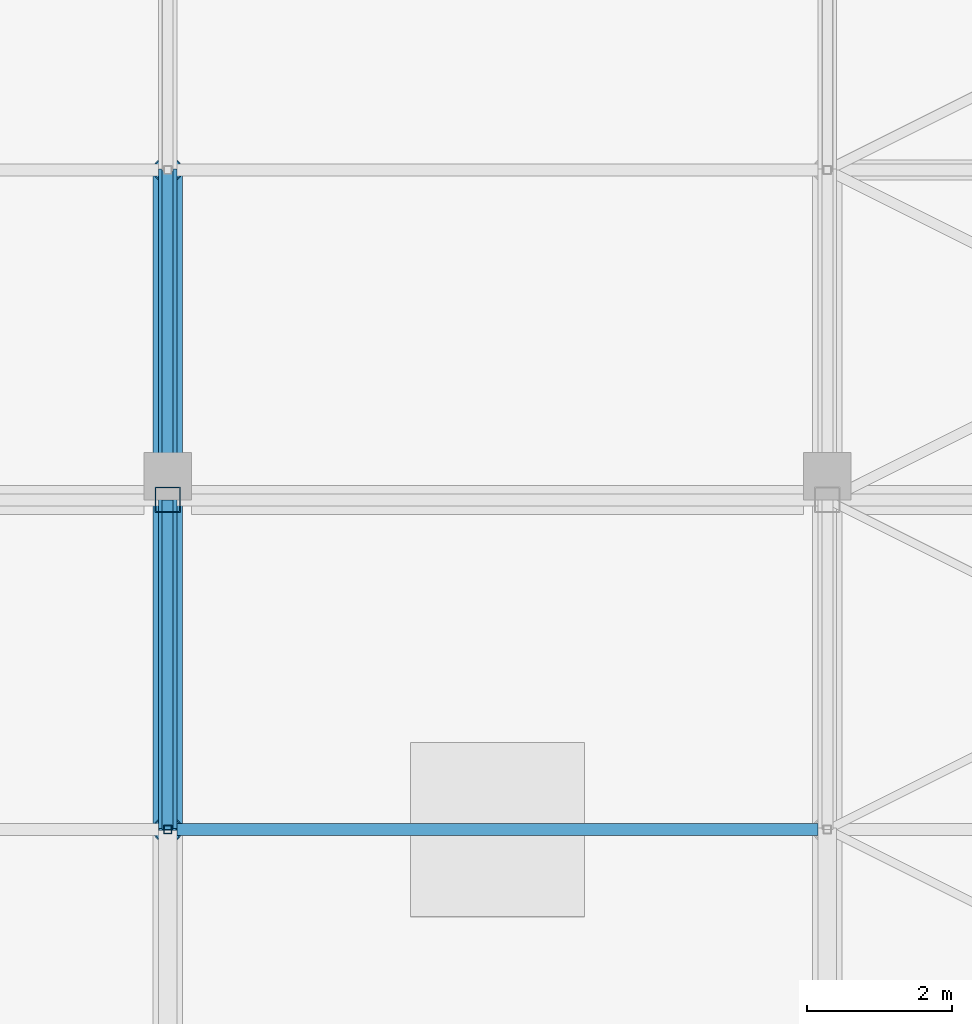
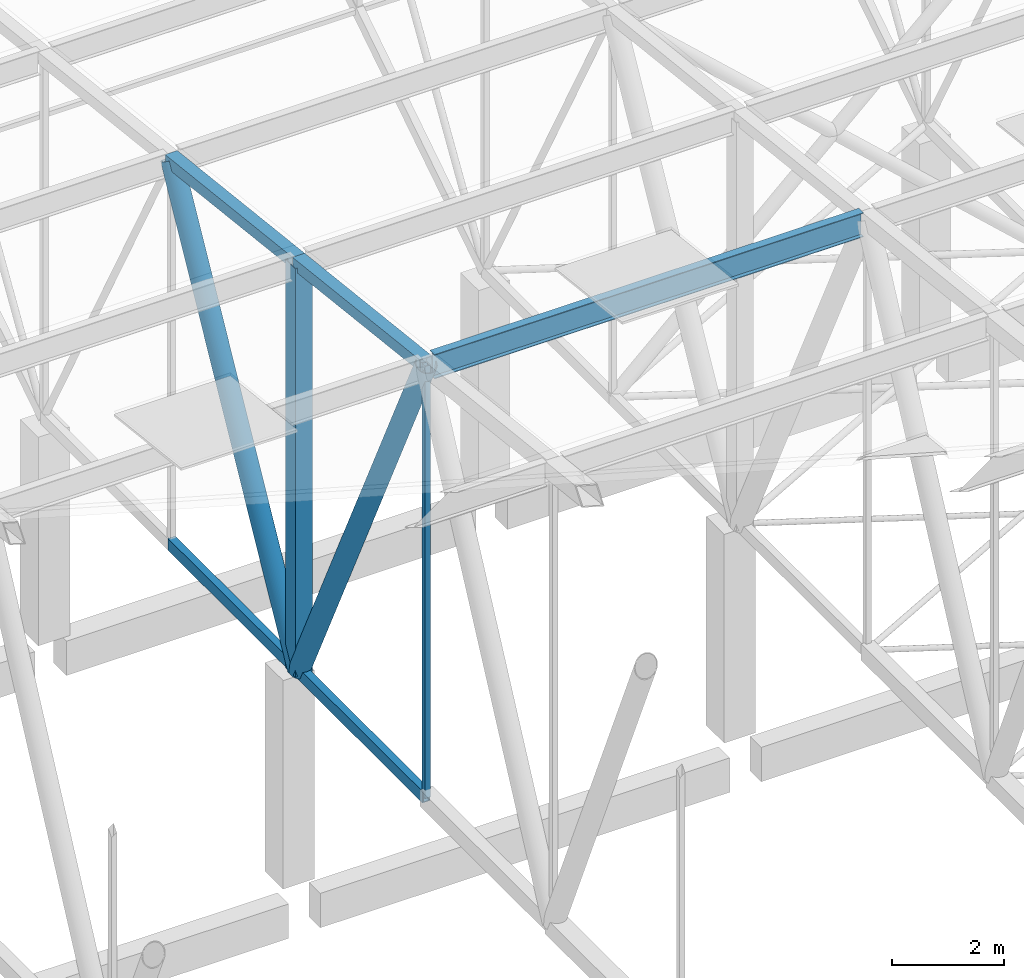
# One storey, part 302 of 500: 9 members.
"""IFC4 building model written with IfcOpenShell, lengths in metres."""

import ifcopenshell
import ifcopenshell.guid

model = None  # the IFC model being written
_history = None  # IfcOwnerHistory: only IFC2X3 demands one
_inside = {}  # id of a spatial element -> (the spatial element, [elements in it])
_under = {}  # id of a project, library or spatial element -> (it, [spatial elements below it])
_declared = {}  # id of a project -> (the project, [libraries it declares])
_typed = {}  # id of a type object -> (the type object, [elements of that type])
_made_of = {}  # id of a material, layer set ... -> (it, [elements and type objects made of it])


def new_model(schema):
    """Start an empty IFC model of exactly this schema.

    Asked for "IFC4X3", IfcOpenShell would pick the latest addendum, in which some entities
    have other attributes; the version numbers below select the first issue.
    IFC2X3 requires an IfcOwnerHistory on every rooted entity: one is made here for all.
    """
    global model, _history
    if schema == "IFC4X3":
        model = ifcopenshell.file(schema_version=(4, 3, 0, 0))
    else:
        model = ifcopenshell.file(schema=schema)
    _inside.clear()
    _under.clear()
    _declared.clear()
    _typed.clear()
    _made_of.clear()
    _history = None
    if model.schema == "IFC2X3":
        org = make("IfcOrganization", Name="unknown")
        user = make(
            "IfcPersonAndOrganization",
            ThePerson=make("IfcPerson", FamilyName="unknown"),
            TheOrganization=org,
        )
        app = make(
            "IfcApplication",
            ApplicationDeveloper=org,
            Version="unknown",
            ApplicationFullName="unknown",
            ApplicationIdentifier="unknown",
        )
        _history = make(
            "IfcOwnerHistory",
            OwningUser=user,
            OwningApplication=app,
            ChangeAction="ADDED",
            CreationDate=0,
        )
    return model


def make(cls, **values):
    """One entity of the class cls with the attributes given. An attribute that is None is left unset."""
    return model.create_entity(
        cls, **{name: value for name, value in values.items() if value is not None}
    )


def rooted(cls, **values):
    """An entity with a GlobalId (a new one), such as an element, a storey or a relation."""
    return make(cls, GlobalId=ifcopenshell.guid.new(), OwnerHistory=_history, **values)


def si_unit(unit_type, name, prefix=None):
    """IfcSIUnit, for example si_unit("LENGTHUNIT", "METRE", prefix="MILLI")."""
    return make("IfcSIUnit", UnitType=unit_type, Prefix=prefix, Name=name)


def assignment(units):
    """IfcUnitAssignment: the units of a project."""
    return None if units is None else make("IfcUnitAssignment", Units=units)


def point(xyz):
    """IfcCartesianPoint."""
    return None if xyz is None else make("IfcCartesianPoint", Coordinates=xyz)


def direction(xyz):
    """IfcDirection."""
    return None if xyz is None else make("IfcDirection", DirectionRatios=xyz)


def frame(location, z_axis=None, x_axis=None):
    """IfcAxis2Placement3D, a coordinate frame: its origin and axes. An axis left out is left unset."""
    return make(
        "IfcAxis2Placement3D",
        Location=point(location),
        Axis=direction(z_axis),
        RefDirection=direction(x_axis),
    )


def frame_2d(location, x_axis=None):
    """IfcAxis2Placement2D, a coordinate frame in the plane: its origin and x axis."""
    return make(
        "IfcAxis2Placement2D", Location=point(location), RefDirection=direction(x_axis)
    )


def origin():
    """The frame at (0, 0, 0) with its axes left unset."""
    return frame((0.0, 0.0, 0.0))


def origin_2d():
    """The frame at (0, 0) in the plane with its x axis left unset."""
    return frame_2d((0.0, 0.0))


def place(relative_to, where):
    """IfcLocalPlacement: puts the frame where relative to a parent placement (None: the world)."""
    return make(
        "IfcLocalPlacement", PlacementRelTo=relative_to, RelativePlacement=where
    )


def context(
    kind, dimensions, precision=None, world=None, true_north=None, identifier=None
):
    """IfcGeometricRepresentationContext, for example the 3D "Model" context."""
    return make(
        "IfcGeometricRepresentationContext",
        ContextIdentifier=identifier,
        ContextType=kind,
        CoordinateSpaceDimension=dimensions,
        Precision=precision,
        WorldCoordinateSystem=world,
        TrueNorth=true_north,
    )


def subcontext(parent, identifier, kind, view, scale=None):
    """IfcGeometricRepresentationSubContext, for example "Body" below "Model"."""
    return make(
        "IfcGeometricRepresentationSubContext",
        ContextIdentifier=identifier,
        ContextType=kind,
        ParentContext=parent,
        TargetScale=scale,
        TargetView=view,
    )


def project(units=None, contexts=None):
    """IfcProject with its units and contexts."""
    return rooted(
        "IfcProject",
        Name="project",
        RepresentationContexts=contexts,
        UnitsInContext=assignment(units),
    )


def spatial(cls, under=None, at=None, **own):
    """A site, building, storey or space (cls), placed at a placement, below another one or the project."""
    s = rooted(cls, ObjectPlacement=at, **own)
    if under is not None:
        _under.setdefault(under.id(), (under, []))[1].append(s)
    return s


def profile(cls, at=None, kind="AREA", **sizes):
    """A parametric profile (cls). Its sizes go by their IFC names, for example OverallWidth=200.0."""
    return make(cls, ProfileType=kind, Position=at, **sizes)


def hollow_rectangle(**sizes):
    """IfcRectangleHollowProfileDef."""
    return profile("IfcRectangleHollowProfileDef", **sizes)


def hollow_circle(**sizes):
    """IfcCircleHollowProfileDef."""
    return profile("IfcCircleHollowProfileDef", **sizes)


def i_section(**sizes):
    """IfcIShapeProfileDef."""
    return profile("IfcIShapeProfileDef", **sizes)


def extrude(swept, where, along, depth):
    """IfcExtrudedAreaSolid: the profile swept, set in the frame where, extruded along a direction by depth."""
    return make(
        "IfcExtrudedAreaSolid",
        SweptArea=swept,
        Position=where,
        ExtrudedDirection=direction(along),
        Depth=depth,
    )


def shape(context_of_items, identifier, shape_type, items):
    """IfcShapeRepresentation: the items that make up one representation, for example the "Body"."""
    return make(
        "IfcShapeRepresentation",
        ContextOfItems=context_of_items,
        RepresentationIdentifier=identifier,
        RepresentationType=shape_type,
        Items=items,
    )


def material(Name=None, Category=None):
    """IfcMaterial."""
    return make("IfcMaterial", Name=Name, Category=Category)


def material_profile(
    of_material, cross_section, Name=None, Category=None, Priority=None
):
    """IfcMaterialProfile: a cross section and its material."""
    return make(
        "IfcMaterialProfile",
        Name=Name,
        Material=of_material,
        Profile=cross_section,
        Priority=Priority,
        Category=Category,
    )


def profile_set(profiles, Name=None, composite=None):
    """IfcMaterialProfileSet."""
    return make(
        "IfcMaterialProfileSet",
        Name=Name,
        MaterialProfiles=profiles,
        CompositeProfile=composite,
    )


def made_of(thing, what):
    """Note that an element or type object is made of a material, layer set ...; save() writes the relation."""
    if what is not None:
        _made_of.setdefault(what.id(), (what, []))[1].append(thing)
    return thing


def type_object(cls, material=None, **own):
    """A type object (cls), such as IfcWallType, which elements share."""
    return made_of(rooted(cls, **own), material)


def element(
    cls,
    number,
    at=None,
    inside=None,
    cuts=None,
    type_object=None,
    material=None,
    context=None,
    identifier="Body",
    shape_type=None,
    held_by="IfcProductDefinitionShape",
    body=None,
    shapes=None,
    **own,
):
    """One element of the class cls, such as IfcWall. Its Tag is "e" and its number.

    at: its placement. inside: the storey or other place that contains it. cuts: it is an
    opening in that element (IfcRelVoidsElement). A single representation is given by context,
    identifier, shape_type and body (its items); several are given by shapes. held_by: the class
    of the entity that holds the representations. save() writes the other relations.
    """
    e = rooted(cls, Tag="e%d" % number, ObjectPlacement=at, **own)
    if body is not None:
        shapes = [shape(context, identifier, shape_type, body)]
    if shapes is not None:
        e.Representation = make(held_by, Representations=shapes)
    if inside is not None:
        _inside.setdefault(inside.id(), (inside, []))[1].append(e)
    if cuts is not None:
        rooted(
            "IfcRelVoidsElement", RelatingBuildingElement=cuts, RelatedOpeningElement=e
        )
    if type_object is not None:
        _typed.setdefault(type_object.id(), (type_object, []))[1].append(e)
    return made_of(e, material)


def aggregate(whole, parts):
    """IfcRelAggregates: a whole, such as a stair, and the parts it consists of."""
    return rooted("IfcRelAggregates", RelatingObject=whole, RelatedObjects=parts)


def save(model, path):
    """Write the relations noted so far, then the file.

    IfcRelAggregates (storeys below a building ...), IfcRelContainedInSpatialStructure (elements
    in a storey), IfcRelDefinesByType, IfcRelAssociatesMaterial and IfcRelDeclares: one each for
    every whole, place, type object, material and project.
    """
    for whole, parts in _under.values():
        aggregate(whole, parts)
    for where, things in _inside.values():
        rooted(
            "IfcRelContainedInSpatialStructure",
            RelatedElements=things,
            RelatingStructure=where,
        )
    for kind, things in _typed.values():
        rooted("IfcRelDefinesByType", RelatedObjects=things, RelatingType=kind)
    for what, things in _made_of.values():
        rooted("IfcRelAssociatesMaterial", RelatedObjects=things, RelatingMaterial=what)
    for by, libraries in _declared.values():
        rooted("IfcRelDeclares", RelatingContext=by, RelatedDefinitions=libraries)
    model.write(path)


model = new_model("IFC4")

# Units and contexts
model_context = context("Model", 3, precision=1e-05, world=origin(), true_north=direction((0.0, 1.0)))
body_context = subcontext(model_context, "Body", "Model", "MODEL_VIEW")
ifc_project = project(units=[si_unit("LENGTHUNIT", "METRE"), si_unit("AREAUNIT", "SQUARE_METRE"), si_unit("VOLUMEUNIT", "CUBIC_METRE"), si_unit("PLANEANGLEUNIT", "RADIAN"), si_unit("MASSUNIT", "GRAM", prefix="KILO")], contexts=[model_context])

# Site, building, storey
site_placement = place(None, origin())
site = spatial("IfcSite", under=ifc_project, at=site_placement, CompositionType="ELEMENT")
building_placement = place(site_placement, origin())
building = spatial("IfcBuilding", under=site, at=building_placement, Name="Shirokan Park Arena", CompositionType="ELEMENT")
storey_placement = place(building_placement, frame((0.0, 0.0, 29.1201171875)))
storey = spatial("IfcBuildingStorey", under=building, at=storey_placement, Name="L06", CompositionType="ELEMENT", Elevation=29.1201171875)

# Members
ifc_material_1 = material(Name="Steel ASTM A500 Grade C", Category="steel")
ifc_material_profile_1 = material_profile(ifc_material_1, hollow_rectangle(XDim=0.152099609375, YDim=0.25390625, WallThickness=0.015869140625, at=origin_2d()), Name="HSS254X152.4X15.9")
ifc_profile_set_1 = profile_set([ifc_material_profile_1], Name="Steel ASTM A500 Grade C")
member_type_1 = type_object("IfcMemberType", Name="Bottom chord HSS254X152.4X15.9", PredefinedType="CHORD", material=ifc_profile_set_1)
member_1_placement = place(storey_placement, frame((81.89990234375, 95.550048828125, 4.677001953125), z_axis=(0.0, 1.0, 0.0), x_axis=(-1.0, 0.0, 0.0)))
element("IfcMember", 1, at=member_1_placement, inside=storey, type_object=member_type_1, Name="Truss T10 bottom chord 24", PredefinedType="CHORD", context=body_context, shape_type="SweptSolid", body=[
    extrude(hollow_rectangle(XDim=0.152099609375, YDim=0.25390625, WallThickness=0.015869140625, at=origin_2d()), origin(), (0.0, 0.0, 1.0), 4.550048828125),
])
ifc_material_profile_2 = material_profile(ifc_material_1, hollow_rectangle(XDim=0.152099609375, YDim=0.25390625, WallThickness=0.009521484375, at=origin_2d()), Name="HSS254X152.4X9.5")
ifc_profile_set_2 = profile_set([ifc_material_profile_2], Name="Steel ASTM A500 Grade C")
member_type_2 = type_object("IfcMemberType", Name="Bottom chord HSS254X152.4X9.5", PredefinedType="CHORD", material=ifc_profile_set_2)
member_2_placement = place(storey_placement, frame((81.89990234375, 100.10009765625, 4.677001953125), z_axis=(0.0, 1.0, 0.0), x_axis=(-1.0, 0.0, 0.0)))
element("IfcMember", 2, at=member_2_placement, inside=storey, type_object=member_type_2, Name="Truss T10 bottom chord 25", PredefinedType="CHORD", context=body_context, shape_type="SweptSolid", body=[
    extrude(hollow_rectangle(XDim=0.152099609375, YDim=0.25390625, WallThickness=0.009521484375, at=origin_2d()), origin(), (0.0, 0.0, 1.0), 4.5498046875),
])
ifc_material_2 = material(Name="Steel ASTM A992", Category="steel")
ifc_material_profile_3 = material_profile(ifc_material_2, i_section(OverallWidth=0.166015625, OverallDepth=0.528076171875, WebThickness=0.009765625, FlangeThickness=0.013671875, at=origin_2d()), Name="W530X74")
ifc_profile_set_3 = profile_set([ifc_material_profile_3], Name="Steel ASTM A992")
member_type_3 = type_object("IfcMemberType", Name="Purlin W530X74", PredefinedType="PURLIN", material=ifc_profile_set_3)
member_3_placement = place(storey_placement, frame((82.027099609375, 95.550048828125, 14.0458984375), z_axis=(1.0, 0.0, 0.0), x_axis=(0.0, 1.0, 0.0)))
element("IfcMember", 3, at=member_3_placement, inside=storey, type_object=member_type_3, Name="Purlin 24 bay 10", PredefinedType="PURLIN", context=body_context, shape_type="SweptSolid", body=[
    extrude(i_section(OverallWidth=0.166015625, OverallDepth=0.528076171875, WebThickness=0.009765625, FlangeThickness=0.013671875, at=origin_2d()), origin(), (0.0, 0.0, 1.0), 8.845947265625),
])
ifc_material_profile_4 = material_profile(ifc_material_1, hollow_rectangle(XDim=0.25390625, YDim=0.25390625, WallThickness=0.009521484375, at=origin_2d()), Name="HSS254X254X9.5")
ifc_profile_set_4 = profile_set([ifc_material_profile_4], Name="Steel ASTM A500 Grade C")
member_type_4 = type_object("IfcMemberType", Name="Top chord HSS254X254X9.5", PredefinedType="CHORD", material=ifc_profile_set_4)
member_4_placement = place(storey_placement, frame((81.89990234375, 95.550048828125, 14.101318359375), z_axis=(0.0, 0.993532328996, -0.113549598152), x_axis=(-1.0, 0.0, 0.0)))
element("IfcMember", 4, at=member_4_placement, inside=storey, type_object=member_type_4, Name="Truss T10 top chord 24", PredefinedType="CHORD", context=body_context, shape_type="SweptSolid", body=[
    extrude(hollow_rectangle(XDim=0.25390625, YDim=0.25390625, WallThickness=0.009521484375, at=origin_2d()), origin(), (0.0, 0.0, 1.0), 4.57958984375),
])
member_5_placement = place(storey_placement, frame((81.89990234375, 100.10009765625, 13.581298828125), z_axis=(0.0, 0.993531641592, -0.11355561261), x_axis=(-1.0, 0.0, 0.0)))
element("IfcMember", 5, at=member_5_placement, inside=storey, type_object=member_type_4, Name="Truss T10 top chord 25", PredefinedType="CHORD", context=body_context, shape_type="SweptSolid", body=[
    extrude(hollow_rectangle(XDim=0.25390625, YDim=0.25390625, WallThickness=0.009521484375, at=origin_2d()), origin(), (0.0, 0.0, 1.0), 4.579345703125),
])
ifc_material_profile_5 = material_profile(ifc_material_1, hollow_circle(Radius=0.202880859375, WallThickness=0.015869140625, at=origin_2d()), Name="HSS406.4X15.9")
ifc_profile_set_5 = profile_set([ifc_material_profile_5], Name="Steel ASTM A500 Grade C")
member_type_5 = type_object("IfcMemberType", Name="Truss diagonal HSS406.4X15.9", PredefinedType="BRACE", material=ifc_profile_set_5)
member_6_placement = place(storey_placement, frame((81.89990234375, 95.550048828125, 14.101318359375), z_axis=(0.0, 0.434778423415, -0.900537463148), x_axis=(-1.0, 0.0, 0.0)))
element("IfcMember", 6, at=member_6_placement, inside=storey, type_object=member_type_5, Name="Truss T10 diagonal 24", PredefinedType="BRACE", context=body_context, shape_type="SweptSolid", body=[
    extrude(hollow_circle(Radius=0.202880859375, WallThickness=0.015869140625, at=origin_2d()), origin(), (0.0, 0.0, 1.0), 10.46533203125),
])
member_7_placement = place(storey_placement, frame((81.89990234375, 100.10009765625, 4.677001953125), z_axis=(0.0, 0.476957435823, 0.878926393058), x_axis=(-1.0, 0.0, 0.0)))
element("IfcMember", 7, at=member_7_placement, inside=storey, type_object=member_type_5, Name="Truss T10 diagonal 25", PredefinedType="BRACE", context=body_context, shape_type="SweptSolid", body=[
    extrude(hollow_circle(Radius=0.202880859375, WallThickness=0.015869140625, at=origin_2d()), origin(), (0.0, 0.0, 1.0), 9.539306640625),
])
ifc_material_profile_6 = material_profile(ifc_material_1, hollow_rectangle(XDim=0.114013671875, YDim=0.114013671875, WallThickness=0.00634765625, at=origin_2d()), Name="HSS114.3X114.3X6.4")
ifc_profile_set_6 = profile_set([ifc_material_profile_6], Name="Steel ASTM A500 Grade C")
member_type_6 = type_object("IfcMemberType", Name="Truss post HSS114.3X114.3X6.4", PredefinedType="POST", material=ifc_profile_set_6)
member_8_placement = place(storey_placement, frame((81.89990234375, 95.550048828125, 4.677001953125), z_axis=(0.0, 0.0, 1.0), x_axis=(1.0, 0.0, 0.0)))
element("IfcMember", 8, at=member_8_placement, inside=storey, type_object=member_type_6, Name="Truss T10 post 24", PredefinedType="POST", context=body_context, shape_type="SweptSolid", body=[
    extrude(hollow_rectangle(XDim=0.114013671875, YDim=0.114013671875, WallThickness=0.00634765625, at=origin_2d()), origin(), (0.0, 0.0, 1.0), 9.42431640625),
])
ifc_material_profile_7 = material_profile(ifc_material_1, hollow_rectangle(XDim=0.35595703125, YDim=0.35595703125, WallThickness=0.015869140625, at=origin_2d()), Name="HSS355.6X355.6X15.9")
ifc_profile_set_7 = profile_set([ifc_material_profile_7], Name="Steel ASTM A500 Grade C")
member_type_7 = type_object("IfcMemberType", Name="Truss post HSS355.6X355.6X15.9", PredefinedType="POST", material=ifc_profile_set_7)
member_9_placement = place(storey_placement, frame((81.89990234375, 100.10009765625, 4.677001953125), z_axis=(0.0, 0.0, 1.0), x_axis=(1.0, 0.0, 0.0)))
element("IfcMember", 9, at=member_9_placement, inside=storey, type_object=member_type_7, Name="Truss T10 post 25", PredefinedType="POST", context=body_context, shape_type="SweptSolid", body=[
    extrude(hollow_rectangle(XDim=0.35595703125, YDim=0.35595703125, WallThickness=0.015869140625, at=origin_2d()), origin(), (0.0, 0.0, 1.0), 8.904296875),
])

save(model, "model.ifc")
